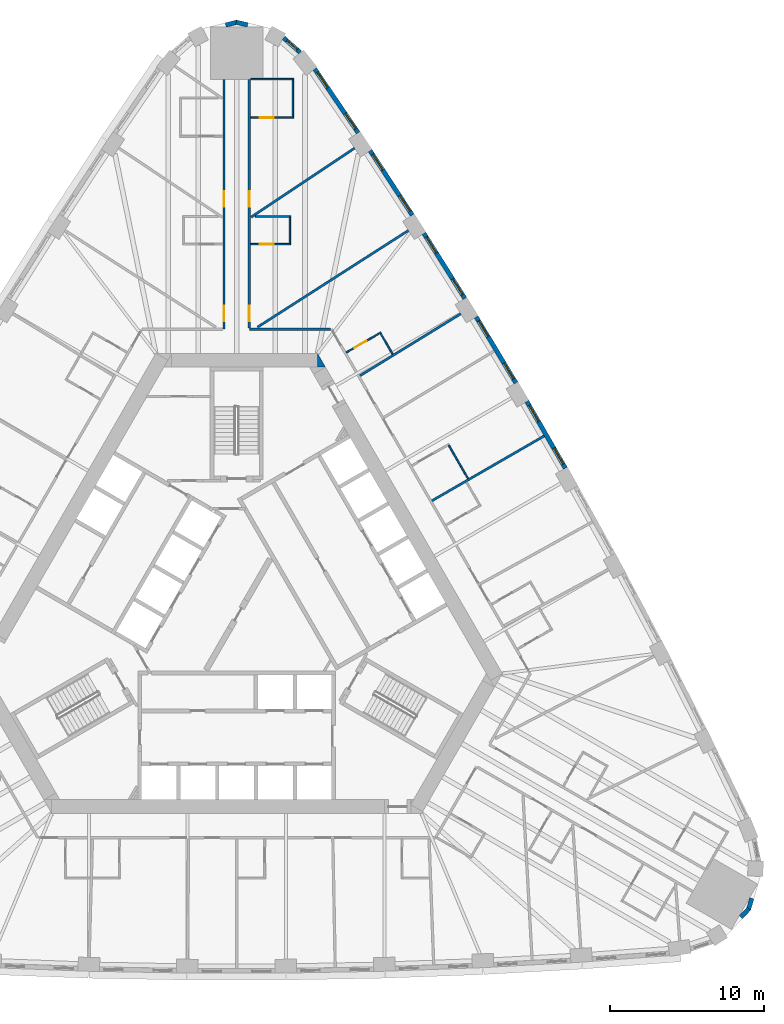
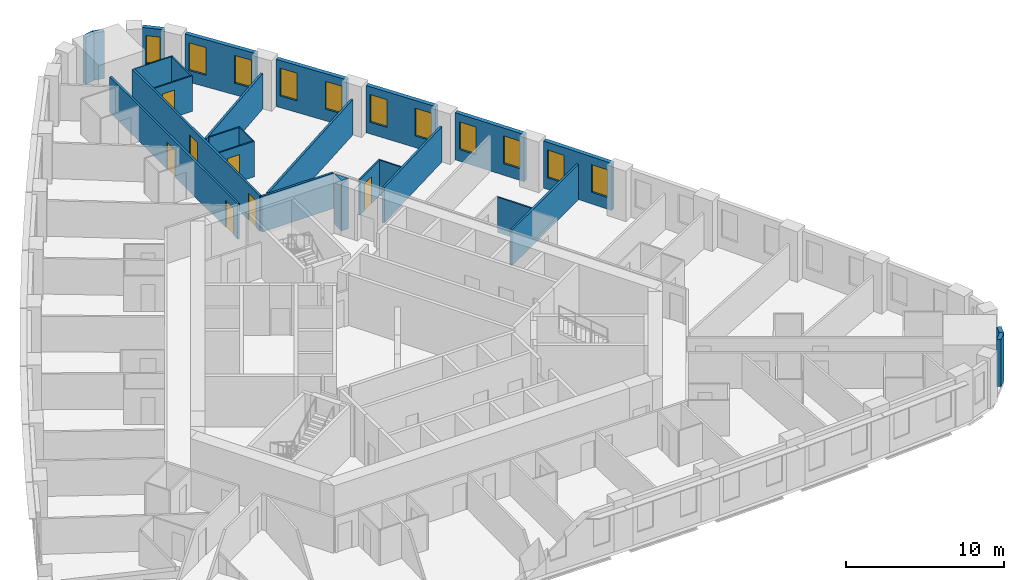
# One storey, part 11 of 13: 27 walls, 11 windows, 7 doors, 18 openings.
"""IFC4 building model written with IfcOpenShell, lengths in metres."""

from ifc_helpers import new_model, si_unit, direction, frame, frame_2d, origin, place, context, subcontext, project, spatial, polyline, rectangle, outline, extrude, material, layer, layer_set, type_object, element, fill, save


model = new_model("IFC4")

# Units and contexts
model_context = context("Model", 3, precision=1e-05, world=origin(), true_north=direction((0.0, 1.0)))
body_context = subcontext(model_context, "Body", "Model", "MODEL_VIEW")
ifc_project = project(units=[si_unit("LENGTHUNIT", "METRE"), si_unit("AREAUNIT", "SQUARE_METRE"), si_unit("VOLUMEUNIT", "CUBIC_METRE"), si_unit("PLANEANGLEUNIT", "RADIAN"), si_unit("MASSUNIT", "GRAM", prefix="KILO")], contexts=[model_context])

# Site, building, storey
site_placement = place(None, origin())
site = spatial("IfcSite", under=ifc_project, at=site_placement, CompositionType="ELEMENT")
building_placement = place(site_placement, origin())
building = spatial("IfcBuilding", under=site, at=building_placement, Name="Mestral Congress Tower", CompositionType="ELEMENT")
storey_placement = place(building_placement, frame((0.0, 0.0, 35.39990234375)))
storey = spatial("IfcBuildingStorey", under=building, at=storey_placement, Name="L07", CompositionType="ELEMENT", Elevation=35.39990234375)

# Walls
ifc_material_1 = material(Name="Concrete C60/75", Category="concrete")
ifc_layer_1 = layer(ifc_material_1, 0.89990234375)
ifc_layer_set_1 = layer_set([ifc_layer_1], Name="Concrete C60/75")
wall_type_1 = type_object("IfcWallType", Name="Core wall RC 900", PredefinedType="SOLIDWALL", material=ifc_layer_set_1)
wall_1_placement = place(storey_placement, origin())
element("IfcWall", 1, at=wall_1_placement, inside=storey, type_object=wall_type_1, Name="L07 core wall", PredefinedType="SOLIDWALL", context=body_context, shape_type="SweptSolid", body=[
    extrude(outline(polyline([(5.265380859375, 16.0), (5.265380859375, 16.8798828125), (5.7734375, 16.0), (5.265380859375, 16.0)])), origin(), (0.0, 0.0, 1.0), 3.900146484375),
])
ifc_material_2 = material(Name="Precast concrete C40/50 with limestone facing", Category="masonry")
ifc_layer_2 = layer(ifc_material_2, 0.2900390625)
ifc_layer_set_2 = layer_set([ifc_layer_2], Name="Precast concrete C40/50 with limestone facing")
wall_type_2 = type_object("IfcWallType", Name="Facade stone wall 290", PredefinedType="SOLIDWALL", material=ifc_layer_set_2)
for number, where, z_axis, x_axis, name in (
    (2, (32.762451171875, -19.732177734375, 0.0), (0.0, 0.0, 1.0), (0.692252359589, 0.721655506903, 0.0), "Facade wall K0-1"),
    (3, (33.256591796875, -19.24072265625, 0.0), (0.0, 0.0, 1.0), (0.278981320915, 0.960296528464, 0.0), "Facade wall K0-2"),
):
    element("IfcWall", number, at=place(storey_placement, frame(where, z_axis=z_axis, x_axis=x_axis)), inside=storey, type_object=wall_type_2, Name=name, PredefinedType="SOLIDWALL", context=body_context, shape_type="SweptSolid", body=[
        extrude(rectangle(XDim=0.763916015625, YDim=0.2900390625, at=frame_2d((0.3818359375, 0.0))), origin(), (0.0, 0.0, 1.0), 3.650146484375),
    ])

# Wall, openings, windows
wall_2_placement = place(storey_placement, frame((21.357177734375, 9.44482421875, 0.0), z_axis=(0.0, 0.0, 1.0), x_axis=(-0.50002123722, 0.866013142123, 0.0)))
wall_2 = element("IfcWall", 4, at=wall_2_placement, inside=storey, type_object=wall_type_2, Name="Facade wall F1-04", PredefinedType="SOLIDWALL", context=body_context, shape_type="SweptSolid", body=[
    extrude(rectangle(XDim=4.998291015625, YDim=0.2900390625, at=frame_2d((2.4990234375, 0.0))), origin(), (0.0, 0.0, 1.0), 3.650146484375),
])
opening_1_placement = place(wall_2_placement, frame((0.297119140625, 0.0, 0.89990234375)))
opening_1 = element("IfcOpeningElement", 5, at=opening_1_placement, cuts=wall_2, Name="Opening W1", PredefinedType="OPENING", context=body_context, shape_type="SweptSolid", body=[
    extrude(rectangle(XDim=1.199951171875, YDim=2.14990234375, at=frame_2d((0.60009765625, 1.074951171875))), frame((0.0, 0.155029296875, 0.0), z_axis=(0.0, -1.0, 0.0), x_axis=(1.0, 0.0, 0.0)), (0.0, 0.0, 1.0), 0.31005859375),
])
opening_2_placement = place(wall_2_placement, frame((3.501220703125, 0.0, 0.89990234375)))
opening_2 = element("IfcOpeningElement", 6, at=opening_2_placement, cuts=wall_2, Name="Opening W1", PredefinedType="OPENING", context=body_context, shape_type="SweptSolid", body=[
    extrude(rectangle(XDim=1.199951171875, YDim=2.14990234375, at=frame_2d((0.60009765625, 1.074951171875))), frame((0.0, 0.155029296875, 0.0), z_axis=(0.0, -1.0, 0.0), x_axis=(1.0, 0.0, 0.0)), (0.0, 0.0, 1.0), 0.31005859375),
])
ifc_material_3 = material(Name="Clear low-emissivity double glazing", Category="glass")
window_type_1 = type_object("IfcWindowType", Name="Facade punched window 1200 x 2150 sill 900", PartitioningType="DOUBLE_PANEL_VERTICAL", PredefinedType="WINDOW", material=ifc_material_3)
window_1_placement = place(opening_1_placement, origin())
window_1 = element("IfcWindow", 7, at=window_1_placement, inside=storey, type_object=window_type_1, Name="Window F1-04a", OverallHeight=2.14990234375, OverallWidth=1.199951171875, PartitioningType="DOUBLE_PANEL_VERTICAL", PredefinedType="WINDOW", context=body_context, shape_type="SweptSolid", body=[
    extrude(rectangle(XDim=1.199951171875, YDim=2.14990234375, at=frame_2d((0.60009765625, 1.074951171875))), frame((0.0, 0.01513671875, 0.0), z_axis=(0.0, -1.0, 0.0), x_axis=(1.0, 0.0, 0.0)), (0.0, 0.0, 1.0), 0.06005859375),
])
fill(opening_1, window_1)
window_2_placement = place(opening_2_placement, origin())
window_2 = element("IfcWindow", 8, at=window_2_placement, inside=storey, type_object=window_type_1, Name="Window F1-04b", OverallHeight=2.14990234375, OverallWidth=1.199951171875, PartitioningType="DOUBLE_PANEL_VERTICAL", PredefinedType="WINDOW", context=body_context, shape_type="SweptSolid", body=[
    extrude(rectangle(XDim=1.199951171875, YDim=2.14990234375, at=frame_2d((0.60009765625, 1.074951171875))), frame((0.0, 0.01513671875, 0.0), z_axis=(0.0, -1.0, 0.0), x_axis=(1.0, 0.0, 0.0)), (0.0, 0.0, 1.0), 0.06005859375),
])
fill(opening_2, window_2)

wall_3_placement = place(storey_placement, frame((18.143310546875, 14.985595703125, 0.0), z_axis=(0.0, 0.0, 1.0), x_axis=(-0.515938796285, 0.856625448191, 0.0)))
wall_3 = element("IfcWall", 9, at=wall_3_placement, inside=storey, type_object=wall_type_2, Name="Facade wall F1-05", PredefinedType="SOLIDWALL", context=body_context, shape_type="SweptSolid", body=[
    extrude(rectangle(XDim=4.998291015625, YDim=0.2900390625, at=frame_2d((2.4990234375, 0.0))), origin(), (0.0, 0.0, 1.0), 3.650146484375),
])
opening_3_placement = place(wall_3_placement, frame((0.297119140625, 0.0, 0.89990234375)))
opening_3 = element("IfcOpeningElement", 10, at=opening_3_placement, cuts=wall_3, Name="Opening W1", PredefinedType="OPENING", context=body_context, shape_type="SweptSolid", body=[
    extrude(rectangle(XDim=1.199951171875, YDim=2.14990234375, at=frame_2d((0.60009765625, 1.074951171875))), frame((0.0, 0.155029296875, 0.0), z_axis=(0.0, -1.0, 0.0), x_axis=(1.0, 0.0, 0.0)), (0.0, 0.0, 1.0), 0.31005859375),
])
opening_4_placement = place(wall_3_placement, frame((3.501220703125, 0.0, 0.89990234375)))
opening_4 = element("IfcOpeningElement", 11, at=opening_4_placement, cuts=wall_3, Name="Opening W1", PredefinedType="OPENING", context=body_context, shape_type="SweptSolid", body=[
    extrude(rectangle(XDim=1.199951171875, YDim=2.14990234375, at=frame_2d((0.60009765625, 1.074951171875))), frame((0.0, 0.155029296875, 0.0), z_axis=(0.0, -1.0, 0.0), x_axis=(1.0, 0.0, 0.0)), (0.0, 0.0, 1.0), 0.31005859375),
])
window_3_placement = place(opening_3_placement, origin())
window_3 = element("IfcWindow", 12, at=window_3_placement, inside=storey, type_object=window_type_1, Name="Window F1-05a", OverallHeight=2.14990234375, OverallWidth=1.199951171875, PartitioningType="DOUBLE_PANEL_VERTICAL", PredefinedType="WINDOW", context=body_context, shape_type="SweptSolid", body=[
    extrude(rectangle(XDim=1.199951171875, YDim=2.14990234375, at=frame_2d((0.60009765625, 1.074951171875))), frame((0.0, 0.01513671875, 0.0), z_axis=(0.0, -1.0, 0.0), x_axis=(1.0, 0.0, 0.0)), (0.0, 0.0, 1.0), 0.06005859375),
])
fill(opening_3, window_3)
window_4_placement = place(opening_4_placement, origin())
window_4 = element("IfcWindow", 13, at=window_4_placement, inside=storey, type_object=window_type_1, Name="Window F1-05b", OverallHeight=2.14990234375, OverallWidth=1.199951171875, PartitioningType="DOUBLE_PANEL_VERTICAL", PredefinedType="WINDOW", context=body_context, shape_type="SweptSolid", body=[
    extrude(rectangle(XDim=1.199951171875, YDim=2.14990234375, at=frame_2d((0.60009765625, 1.074951171875))), frame((0.0, 0.01513671875, 0.0), z_axis=(0.0, -1.0, 0.0), x_axis=(1.0, 0.0, 0.0)), (0.0, 0.0, 1.0), 0.06005859375),
])
fill(opening_4, window_4)

wall_4_placement = place(storey_placement, frame((14.827392578125, 20.466064453125, 0.0), z_axis=(0.0, 0.0, 1.0), x_axis=(-0.531688286542, 0.846940119462, 0.0)))
wall_4 = element("IfcWall", 14, at=wall_4_placement, inside=storey, type_object=wall_type_2, Name="Facade wall F1-06", PredefinedType="SOLIDWALL", context=body_context, shape_type="SweptSolid", body=[
    extrude(rectangle(XDim=4.998291015625, YDim=0.2900390625, at=frame_2d((2.4990234375, 0.0))), origin(), (0.0, 0.0, 1.0), 3.650146484375),
])
opening_5_placement = place(wall_4_placement, frame((0.297119140625, 0.0, 0.89990234375)))
opening_5 = element("IfcOpeningElement", 15, at=opening_5_placement, cuts=wall_4, Name="Opening W1", PredefinedType="OPENING", context=body_context, shape_type="SweptSolid", body=[
    extrude(rectangle(XDim=1.199951171875, YDim=2.14990234375, at=frame_2d((0.60009765625, 1.074951171875))), frame((0.0, 0.155029296875, 0.0), z_axis=(0.0, -1.0, 0.0), x_axis=(1.0, 0.0, 0.0)), (0.0, 0.0, 1.0), 0.31005859375),
])
opening_6_placement = place(wall_4_placement, frame((3.501220703125, 0.0, 0.89990234375)))
opening_6 = element("IfcOpeningElement", 16, at=opening_6_placement, cuts=wall_4, Name="Opening W1", PredefinedType="OPENING", context=body_context, shape_type="SweptSolid", body=[
    extrude(rectangle(XDim=1.199951171875, YDim=2.14990234375, at=frame_2d((0.60009765625, 1.074951171875))), frame((0.0, 0.155029296875, 0.0), z_axis=(0.0, -1.0, 0.0), x_axis=(1.0, 0.0, 0.0)), (0.0, 0.0, 1.0), 0.31005859375),
])
window_5_placement = place(opening_5_placement, origin())
window_5 = element("IfcWindow", 17, at=window_5_placement, inside=storey, type_object=window_type_1, Name="Window F1-06a", OverallHeight=2.14990234375, OverallWidth=1.199951171875, PartitioningType="DOUBLE_PANEL_VERTICAL", PredefinedType="WINDOW", context=body_context, shape_type="SweptSolid", body=[
    extrude(rectangle(XDim=1.199951171875, YDim=2.14990234375, at=frame_2d((0.60009765625, 1.074951171875))), frame((0.0, 0.01513671875, 0.0), z_axis=(0.0, -1.0, 0.0), x_axis=(1.0, 0.0, 0.0)), (0.0, 0.0, 1.0), 0.06005859375),
])
fill(opening_5, window_5)
window_6_placement = place(opening_6_placement, origin())
window_6 = element("IfcWindow", 18, at=window_6_placement, inside=storey, type_object=window_type_1, Name="Window F1-06b", OverallHeight=2.14990234375, OverallWidth=1.199951171875, PartitioningType="DOUBLE_PANEL_VERTICAL", PredefinedType="WINDOW", context=body_context, shape_type="SweptSolid", body=[
    extrude(rectangle(XDim=1.199951171875, YDim=2.14990234375, at=frame_2d((0.60009765625, 1.074951171875))), frame((0.0, 0.01513671875, 0.0), z_axis=(0.0, -1.0, 0.0), x_axis=(1.0, 0.0, 0.0)), (0.0, 0.0, 1.0), 0.06005859375),
])
fill(opening_6, window_6)

wall_5_placement = place(storey_placement, frame((11.41064453125, 25.884033203125, 0.0), z_axis=(0.0, 0.0, 1.0), x_axis=(-0.547204617628, 0.836998868845, 0.0)))
wall_5 = element("IfcWall", 19, at=wall_5_placement, inside=storey, type_object=wall_type_2, Name="Facade wall F1-07", PredefinedType="SOLIDWALL", context=body_context, shape_type="SweptSolid", body=[
    extrude(rectangle(XDim=4.998291015625, YDim=0.2900390625, at=frame_2d((2.4990234375, 0.0))), origin(), (0.0, 0.0, 1.0), 3.650146484375),
])
opening_7_placement = place(wall_5_placement, frame((0.297119140625, 0.0, 0.89990234375)))
opening_7 = element("IfcOpeningElement", 20, at=opening_7_placement, cuts=wall_5, Name="Opening W1", PredefinedType="OPENING", context=body_context, shape_type="SweptSolid", body=[
    extrude(rectangle(XDim=1.199951171875, YDim=2.14990234375, at=frame_2d((0.60009765625, 1.074951171875))), frame((0.0, 0.155029296875, 0.0), z_axis=(0.0, -1.0, 0.0), x_axis=(1.0, 0.0, 0.0)), (0.0, 0.0, 1.0), 0.31005859375),
])
opening_8_placement = place(wall_5_placement, frame((3.501220703125, 0.0, 0.89990234375)))
opening_8 = element("IfcOpeningElement", 21, at=opening_8_placement, cuts=wall_5, Name="Opening W1", PredefinedType="OPENING", context=body_context, shape_type="SweptSolid", body=[
    extrude(rectangle(XDim=1.199951171875, YDim=2.14990234375, at=frame_2d((0.60009765625, 1.074951171875))), frame((0.0, 0.155029296875, 0.0), z_axis=(0.0, -1.0, 0.0), x_axis=(1.0, 0.0, 0.0)), (0.0, 0.0, 1.0), 0.31005859375),
])
window_7_placement = place(opening_7_placement, origin())
window_7 = element("IfcWindow", 22, at=window_7_placement, inside=storey, type_object=window_type_1, Name="Window F1-07a", OverallHeight=2.14990234375, OverallWidth=1.199951171875, PartitioningType="DOUBLE_PANEL_VERTICAL", PredefinedType="WINDOW", context=body_context, shape_type="SweptSolid", body=[
    extrude(rectangle(XDim=1.199951171875, YDim=2.14990234375, at=frame_2d((0.60009765625, 1.074951171875))), frame((0.0, 0.01513671875, 0.0), z_axis=(0.0, -1.0, 0.0), x_axis=(1.0, 0.0, 0.0)), (0.0, 0.0, 1.0), 0.06005859375),
])
fill(opening_7, window_7)
window_8_placement = place(opening_8_placement, origin())
window_8 = element("IfcWindow", 23, at=window_8_placement, inside=storey, type_object=window_type_1, Name="Window F1-07b", OverallHeight=2.14990234375, OverallWidth=1.199951171875, PartitioningType="DOUBLE_PANEL_VERTICAL", PredefinedType="WINDOW", context=body_context, shape_type="SweptSolid", body=[
    extrude(rectangle(XDim=1.199951171875, YDim=2.14990234375, at=frame_2d((0.60009765625, 1.074951171875))), frame((0.0, 0.01513671875, 0.0), z_axis=(0.0, -1.0, 0.0), x_axis=(1.0, 0.0, 0.0)), (0.0, 0.0, 1.0), 0.06005859375),
])
fill(opening_8, window_8)

wall_6_placement = place(storey_placement, frame((7.89453125, 31.23828125, 0.0), z_axis=(0.0, 0.0, 1.0), x_axis=(-0.562610153679, 0.826722332454, 0.0)))
wall_6 = element("IfcWall", 24, at=wall_6_placement, inside=storey, type_object=wall_type_2, Name="Facade wall F1-08", PredefinedType="SOLIDWALL", context=body_context, shape_type="SweptSolid", body=[
    extrude(rectangle(XDim=5.005615234375, YDim=0.2900390625, at=frame_2d((2.5029296875, 0.0))), origin(), (0.0, 0.0, 1.0), 3.650146484375),
])
opening_9_placement = place(wall_6_placement, frame((0.310302734375, 0.0, 0.89990234375)))
opening_9 = element("IfcOpeningElement", 25, at=opening_9_placement, cuts=wall_6, Name="Opening W1", PredefinedType="OPENING", context=body_context, shape_type="SweptSolid", body=[
    extrude(rectangle(XDim=1.199951171875, YDim=2.14990234375, at=frame_2d((0.60009765625, 1.074951171875))), frame((0.0, 0.155029296875, 0.0), z_axis=(0.0, -1.0, 0.0), x_axis=(1.0, 0.0, 0.0)), (0.0, 0.0, 1.0), 0.31005859375),
])
opening_10_placement = place(wall_6_placement, frame((3.54052734375, 0.0, 0.89990234375)))
opening_10 = element("IfcOpeningElement", 26, at=opening_10_placement, cuts=wall_6, Name="Opening W1", PredefinedType="OPENING", context=body_context, shape_type="SweptSolid", body=[
    extrude(rectangle(XDim=1.199951171875, YDim=2.14990234375, at=frame_2d((0.60009765625, 1.074951171875))), frame((0.0, 0.155029296875, 0.0), z_axis=(0.0, -1.0, 0.0), x_axis=(1.0, 0.0, 0.0)), (0.0, 0.0, 1.0), 0.31005859375),
])
window_9_placement = place(opening_9_placement, origin())
window_9 = element("IfcWindow", 27, at=window_9_placement, inside=storey, type_object=window_type_1, Name="Window F1-08a", OverallHeight=2.14990234375, OverallWidth=1.199951171875, PartitioningType="DOUBLE_PANEL_VERTICAL", PredefinedType="WINDOW", context=body_context, shape_type="SweptSolid", body=[
    extrude(rectangle(XDim=1.199951171875, YDim=2.14990234375, at=frame_2d((0.60009765625, 1.074951171875))), frame((0.0, 0.01513671875, 0.0), z_axis=(0.0, -1.0, 0.0), x_axis=(1.0, 0.0, 0.0)), (0.0, 0.0, 1.0), 0.06005859375),
])
fill(opening_9, window_9)
window_10_placement = place(opening_10_placement, origin())
window_10 = element("IfcWindow", 28, at=window_10_placement, inside=storey, type_object=window_type_1, Name="Window F1-08b", OverallHeight=2.14990234375, OverallWidth=1.199951171875, PartitioningType="DOUBLE_PANEL_VERTICAL", PredefinedType="WINDOW", context=body_context, shape_type="SweptSolid", body=[
    extrude(rectangle(XDim=1.199951171875, YDim=2.14990234375, at=frame_2d((0.60009765625, 1.074951171875))), frame((0.0, 0.01513671875, 0.0), z_axis=(0.0, -1.0, 0.0), x_axis=(1.0, 0.0, 0.0)), (0.0, 0.0, 1.0), 0.06005859375),
])
fill(opening_10, window_10)

# Wall, opening, window
wall_7_placement = place(storey_placement, frame((4.12548828125, 36.458984375, 0.0), z_axis=(0.0, 0.0, 1.0), x_axis=(-0.749812680302, 0.661650167731, 0.0)))
wall_7 = element("IfcWall", 29, at=wall_7_placement, inside=storey, type_object=wall_type_2, Name="Facade wall K1-0", PredefinedType="SOLIDWALL", context=body_context, shape_type="SweptSolid", body=[
    extrude(rectangle(XDim=1.4150390625, YDim=0.2900390625, at=frame_2d((0.70751953125, 0.0))), origin(), (0.0, 0.0, 1.0), 3.650146484375),
])
opening_11_placement = place(wall_7_placement, frame((0.257568359375, 0.0, 0.89990234375)))
opening_11 = element("IfcOpeningElement", 30, at=opening_11_placement, cuts=wall_7, Name="Opening W3", PredefinedType="OPENING", context=body_context, shape_type="SweptSolid", body=[
    extrude(rectangle(XDim=0.89990234375, YDim=2.14990234375, at=frame_2d((0.449951171875, 1.074951171875))), frame((0.0, 0.155029296875, 0.0), z_axis=(0.0, -1.0, 0.0), x_axis=(1.0, 0.0, 0.0)), (0.0, 0.0, 1.0), 0.31005859375),
])
window_type_2 = type_object("IfcWindowType", Name="Facade punched window 900 x 2150 sill 900", PartitioningType="SINGLE_PANEL", PredefinedType="WINDOW", material=ifc_material_3)
window_11_placement = place(opening_11_placement, origin())
window_11 = element("IfcWindow", 31, at=window_11_placement, inside=storey, type_object=window_type_2, Name="Window K1-0", OverallHeight=2.14990234375, OverallWidth=0.89990234375, PartitioningType="SINGLE_PANEL", PredefinedType="WINDOW", context=body_context, shape_type="SweptSolid", body=[
    extrude(rectangle(XDim=0.89990234375, YDim=2.14990234375, at=frame_2d((0.449951171875, 1.074951171875))), frame((0.0, 0.01513671875, 0.0), z_axis=(0.0, -1.0, 0.0), x_axis=(1.0, 0.0, 0.0)), (0.0, 0.0, 1.0), 0.06005859375),
])
fill(opening_11, window_11)

# Walls
for number, where, z_axis, x_axis, name in (
    (32, (0.707275390625, 38.2392578125, 0.0), (0.0, 0.0, 1.0), (-0.971167582305, 0.238397833629, 0.0), "Facade wall K1-1"),
    (33, (0.03466796875, 38.42138671875, 0.0), (0.0, 0.0, 1.0), (-0.971167582305, -0.238397833629, 0.0), "Facade wall K1-2"),
):
    element("IfcWall", number, at=place(storey_placement, frame(where, z_axis=z_axis, x_axis=x_axis)), inside=storey, type_object=wall_type_2, Name=name, PredefinedType="SOLIDWALL", context=body_context, shape_type="SweptSolid", body=[
        extrude(rectangle(XDim=0.763916015625, YDim=0.2900390625, at=frame_2d((0.3818359375, 0.0))), origin(), (0.0, 0.0, 1.0), 3.650146484375),
    ])
ifc_material_4 = material(Name="Gypsum board partition on metal studs with mineral wool", Category="composite")
ifc_layer_3 = layer(ifc_material_4, 0.10009765625)
ifc_layer_set_3 = layer_set([ifc_layer_3], Name="Gypsum board partition on metal studs with mineral wool")
wall_type_3 = type_object("IfcWallType", Name="Hotel partition wall 100", PredefinedType="PARTITIONING", material=ifc_layer_set_3)
wall_8_placement = place(storey_placement, frame((13.781005859375, 10.9306640625, 0.0), z_axis=(0.0, 0.0, 1.0), x_axis=(0.500004234368, -0.866022959057, 0.0)))
element("IfcWall", 34, at=wall_8_placement, inside=storey, type_object=wall_type_3, Name="L07-h-pod16b", PredefinedType="PARTITIONING", context=body_context, shape_type="SweptSolid", body=[
    extrude(rectangle(XDim=2.5, YDim=0.10009765625, at=frame_2d((1.25, 0.0))), origin(), (0.0, 0.0, 1.0), 2.75),
])

# Wall, opening, door
wall_9_placement = place(storey_placement, frame((9.37548828125, 18.26123046875, 0.0), z_axis=(0.0, 0.0, 1.0), x_axis=(-0.866021400173, -0.500006934395, 0.0)))
wall_9 = element("IfcWall", 35, at=wall_9_placement, inside=storey, type_object=wall_type_3, Name="L07-h-pod18a", PredefinedType="PARTITIONING", context=body_context, shape_type="SweptSolid", body=[
    extrude(rectangle(XDim=2.60009765625, YDim=0.10009765625, at=frame_2d((1.300048828125, 0.0))), origin(), (0.0, 0.0, 1.0), 2.75),
])
opening_12_placement = place(wall_9_placement, frame((1.10009765625, 0.0, 0.0)))
opening_12 = element("IfcOpeningElement", 36, at=opening_12_placement, cuts=wall_9, Name="Opening H01-034", PredefinedType="OPENING", context=body_context, shape_type="SweptSolid", body=[
    extrude(rectangle(XDim=0.89990234375, YDim=2.10009765625, at=frame_2d((0.449951171875, 1.050048828125))), frame((0.0, 0.06005859375, 0.0), z_axis=(0.0, -1.0, 0.0), x_axis=(1.0, 0.0, 0.0)), (0.0, 0.0, 1.0), 0.1201171875),
])
ifc_material_5 = material(Name="Timber veneer door leaf in timber frame", Category="wood")
door_type_1 = type_object("IfcDoorType", Name="Bathroom door 900", OperationType="SINGLE_SWING_LEFT", PredefinedType="DOOR", material=ifc_material_5)
door_1_placement = place(opening_12_placement, origin())
door_1 = element("IfcDoor", 37, at=door_1_placement, inside=storey, type_object=door_type_1, Name="L07-h-d034", OperationType="SINGLE_SWING_RIGHT", OverallHeight=2.10009765625, OverallWidth=0.89990234375, PredefinedType="DOOR", context=body_context, shape_type="SweptSolid", body=[
    extrude(rectangle(XDim=0.89990234375, YDim=2.10009765625, at=frame_2d((0.449951171875, 1.050048828125))), frame((0.0, 0.02490234375, 0.0), z_axis=(0.0, -1.0, 0.0), x_axis=(1.0, 0.0, 0.0)), (0.0, 0.0, 1.0), 0.050048828125),
])
fill(opening_12, door_1)

# Wall
wall_10_placement = place(storey_placement, frame((9.357177734375, 18.193115234375, 0.0), z_axis=(0.0, 0.0, 1.0), x_axis=(0.499899694197, -0.866083307622, 0.0)))
element("IfcWall", 38, at=wall_10_placement, inside=storey, type_object=wall_type_3, Name="L07-h-pod18b", PredefinedType="PARTITIONING", context=body_context, shape_type="SweptSolid", body=[
    extrude(rectangle(XDim=1.550048828125, YDim=0.10009765625, at=frame_2d((0.77490234375, 0.0))), origin(), (0.0, 0.0, 1.0), 2.75),
])

# Wall, opening, door
wall_11_placement = place(storey_placement, frame((0.89990234375, 23.994384765625, 0.0), z_axis=(0.0, 0.0, 1.0), x_axis=(1.0, 0.0, 0.0)))
wall_11 = element("IfcWall", 39, at=wall_11_placement, inside=storey, type_object=wall_type_3, Name="L07-h-pod19a", PredefinedType="PARTITIONING", context=body_context, shape_type="SweptSolid", body=[
    extrude(rectangle(XDim=2.60009765625, YDim=0.10009765625, at=frame_2d((1.300048828125, 0.0))), origin(), (0.0, 0.0, 1.0), 2.75),
])
opening_13_placement = place(wall_11_placement, frame((0.60009765625, 0.0, 0.0)))
opening_13 = element("IfcOpeningElement", 40, at=opening_13_placement, cuts=wall_11, Name="Opening H01-036", PredefinedType="OPENING", context=body_context, shape_type="SweptSolid", body=[
    extrude(rectangle(XDim=0.89990234375, YDim=2.10009765625, at=frame_2d((0.449951171875, 1.050048828125))), frame((0.0, 0.06005859375, 0.0), z_axis=(0.0, -1.0, 0.0), x_axis=(1.0, 0.0, 0.0)), (0.0, 0.0, 1.0), 0.1201171875),
])
door_2_placement = place(opening_13_placement, origin())
door_2 = element("IfcDoor", 41, at=door_2_placement, inside=storey, type_object=door_type_1, Name="L07-h-d036", OperationType="SINGLE_SWING_LEFT", OverallHeight=2.10009765625, OverallWidth=0.89990234375, PredefinedType="DOOR", context=body_context, shape_type="SweptSolid", body=[
    extrude(rectangle(XDim=0.89990234375, YDim=2.10009765625, at=frame_2d((0.449951171875, 1.050048828125))), frame((0.0, 0.02490234375, 0.0), z_axis=(0.0, -1.0, 0.0), x_axis=(1.0, 0.0, 0.0)), (0.0, 0.0, 1.0), 0.050048828125),
])
fill(opening_13, door_2)

# Walls
wall_12_placement = place(storey_placement, frame((3.449951171875, 24.04443359375, 0.0), z_axis=(0.0, 0.0, 1.0), x_axis=(0.0, 1.0, 0.0)))
element("IfcWall", 42, at=wall_12_placement, inside=storey, type_object=wall_type_3, Name="L07-h-pod19b", PredefinedType="PARTITIONING", context=body_context, shape_type="SweptSolid", body=[
    extrude(rectangle(XDim=1.699951171875, YDim=0.10009765625, at=frame_2d((0.85009765625, 0.0))), origin(), (0.0, 0.0, 1.0), 2.75),
])
wall_13_placement = place(storey_placement, frame((1.2099609375, 25.79443359375, 0.0), z_axis=(0.0, 0.0, 1.0), x_axis=(1.0, 0.0, 0.0)))
element("IfcWall", 43, at=wall_13_placement, inside=storey, type_object=wall_type_3, Name="L07-h-pod19c", PredefinedType="PARTITIONING", context=body_context, shape_type="SweptSolid", body=[
    extrude(rectangle(XDim=2.2900390625, YDim=0.10009765625, at=frame_2d((1.14501953125, 0.0))), origin(), (0.0, 0.0, 1.0), 2.75),
])

# Wall, opening, door
wall_14_placement = place(storey_placement, frame((0.89990234375, 32.218994140625, 0.0), z_axis=(0.0, 0.0, 1.0), x_axis=(1.0, 0.0, 0.0)))
wall_14 = element("IfcWall", 44, at=wall_14_placement, inside=storey, type_object=wall_type_3, Name="L07-h-pod20a", PredefinedType="PARTITIONING", context=body_context, shape_type="SweptSolid", body=[
    extrude(rectangle(XDim=2.800048828125, YDim=0.10009765625, at=frame_2d((1.39990234375, 0.0))), origin(), (0.0, 0.0, 1.0), 2.75),
])
opening_14_placement = place(wall_14_placement, frame((0.60009765625, 0.0, 0.0)))
opening_14 = element("IfcOpeningElement", 45, at=opening_14_placement, cuts=wall_14, Name="Opening H01-038", PredefinedType="OPENING", context=body_context, shape_type="SweptSolid", body=[
    extrude(rectangle(XDim=0.89990234375, YDim=2.10009765625, at=frame_2d((0.449951171875, 1.050048828125))), frame((0.0, 0.06005859375, 0.0), z_axis=(0.0, -1.0, 0.0), x_axis=(1.0, 0.0, 0.0)), (0.0, 0.0, 1.0), 0.1201171875),
])
door_3_placement = place(opening_14_placement, origin())
door_3 = element("IfcDoor", 46, at=door_3_placement, inside=storey, type_object=door_type_1, Name="L07-h-d038", OperationType="SINGLE_SWING_LEFT", OverallHeight=2.10009765625, OverallWidth=0.89990234375, PredefinedType="DOOR", context=body_context, shape_type="SweptSolid", body=[
    extrude(rectangle(XDim=0.89990234375, YDim=2.10009765625, at=frame_2d((0.449951171875, 1.050048828125))), frame((0.0, 0.02490234375, 0.0), z_axis=(0.0, -1.0, 0.0), x_axis=(1.0, 0.0, 0.0)), (0.0, 0.0, 1.0), 0.050048828125),
])
fill(opening_14, door_3)

# Walls
wall_15_placement = place(storey_placement, frame((3.64990234375, 32.268798828125, 0.0), z_axis=(0.0, 0.0, 1.0), x_axis=(0.0, 1.0, 0.0)))
element("IfcWall", 47, at=wall_15_placement, inside=storey, type_object=wall_type_3, Name="L07-h-pod20b", PredefinedType="PARTITIONING", context=body_context, shape_type="SweptSolid", body=[
    extrude(rectangle(XDim=2.400146484375, YDim=0.10009765625, at=frame_2d((1.2001953125, 0.0))), origin(), (0.0, 0.0, 1.0), 2.75),
])
wall_16_placement = place(storey_placement, frame((0.89990234375, 34.718994140625, 0.0), z_axis=(0.0, 0.0, 1.0), x_axis=(1.0, 0.0, 0.0)))
element("IfcWall", 48, at=wall_16_placement, inside=storey, type_object=wall_type_3, Name="L07-h-pod20c", PredefinedType="PARTITIONING", context=body_context, shape_type="SweptSolid", body=[
    extrude(rectangle(XDim=2.800048828125, YDim=0.10009765625, at=frame_2d((1.39990234375, 0.0))), origin(), (0.0, 0.0, 1.0), 2.75),
])
ifc_layer_4 = layer(ifc_material_4, 0.14990234375)
ifc_layer_set_4 = layer_set([ifc_layer_4], Name="Gypsum board partition on metal studs with mineral wool")
wall_type_4 = type_object("IfcWallType", Name="Hotel partition wall 150", PredefinedType="PARTITIONING", material=ifc_layer_set_4)
wall_17_placement = place(storey_placement, frame((0.824951171875, 18.47509765625, 0.0), z_axis=(0.0, 0.0, 1.0), x_axis=(1.0, 0.0, 0.0)))
element("IfcWall", 49, at=wall_17_placement, inside=storey, type_object=wall_type_4, Name="L07-h-cw04", PredefinedType="PARTITIONING", context=body_context, shape_type="SweptSolid", body=[
    extrude(rectangle(XDim=5.268310546875, YDim=0.14990234375, at=frame_2d((2.63427734375, 0.0))), origin(), (0.0, 0.0, 1.0), 2.75),
])

# Wall, openings, doors
wall_18_placement = place(storey_placement, frame((0.824951171875, 34.698974609375, 0.0), z_axis=(0.0, 0.0, 1.0), x_axis=(0.0, -1.0, 0.0)))
wall_18 = element("IfcWall", 50, at=wall_18_placement, inside=storey, type_object=wall_type_4, Name="L07-h-cw05", PredefinedType="PARTITIONING", context=body_context, shape_type="SweptSolid", body=[
    extrude(rectangle(XDim=16.14404296875, YDim=0.14990234375, at=frame_2d((8.072021484375, 0.0))), origin(), (0.0, 0.0, 1.0), 2.75),
])
opening_15_placement = place(wall_18_placement, frame((14.7138671875, 0.0, 0.0)))
opening_15 = element("IfcOpeningElement", 51, at=opening_15_placement, cuts=wall_18, Name="Opening H01-035", PredefinedType="OPENING", context=body_context, shape_type="SweptSolid", body=[
    extrude(rectangle(XDim=1.0, YDim=2.10009765625, at=frame_2d((0.5, 1.050048828125))), frame((0.0, 0.0849609375, 0.0), z_axis=(0.0, -1.0, 0.0), x_axis=(1.0, 0.0, 0.0)), (0.0, 0.0, 1.0), 0.169921875),
])
opening_16_placement = place(wall_18_placement, frame((7.27490234375, 0.0, 0.0)))
opening_16 = element("IfcOpeningElement", 52, at=opening_16_placement, cuts=wall_18, Name="Opening H01-037", PredefinedType="OPENING", context=body_context, shape_type="SweptSolid", body=[
    extrude(rectangle(XDim=1.0, YDim=2.10009765625, at=frame_2d((0.5, 1.050048828125))), frame((0.0, 0.0849609375, 0.0), z_axis=(0.0, -1.0, 0.0), x_axis=(1.0, 0.0, 0.0)), (0.0, 0.0, 1.0), 0.169921875),
])
ifc_material_6 = material(Name="Timber veneer door leaf in metal frame", Category="wood")
door_type_2 = type_object("IfcDoorType", Name="Guest room entrance door 1000", OperationType="SINGLE_SWING_LEFT", PredefinedType="DOOR", material=ifc_material_6)
door_4_placement = place(opening_15_placement, origin())
door_4 = element("IfcDoor", 53, at=door_4_placement, inside=storey, type_object=door_type_2, Name="L07-h-d035", OperationType="SINGLE_SWING_RIGHT", OverallHeight=2.10009765625, OverallWidth=1.0, PredefinedType="DOOR", context=body_context, shape_type="SweptSolid", body=[
    extrude(rectangle(XDim=1.0, YDim=2.10009765625, at=frame_2d((0.5, 1.050048828125))), frame((0.0, 0.02490234375, 0.0), z_axis=(0.0, -1.0, 0.0), x_axis=(1.0, 0.0, 0.0)), (0.0, 0.0, 1.0), 0.050048828125),
])
fill(opening_15, door_4)
door_5_placement = place(opening_16_placement, origin())
door_5 = element("IfcDoor", 54, at=door_5_placement, inside=storey, type_object=door_type_2, Name="L07-h-d037", OperationType="SINGLE_SWING_RIGHT", OverallHeight=2.10009765625, OverallWidth=1.0, PredefinedType="DOOR", context=body_context, shape_type="SweptSolid", body=[
    extrude(rectangle(XDim=1.0, YDim=2.10009765625, at=frame_2d((0.5, 1.050048828125))), frame((0.0, 0.02490234375, 0.0), z_axis=(0.0, -1.0, 0.0), x_axis=(1.0, 0.0, 0.0)), (0.0, 0.0, 1.0), 0.050048828125),
])
fill(opening_16, door_5)

wall_19_placement = place(storey_placement, frame((-0.824951171875, 18.47509765625, 0.0), z_axis=(0.0, 0.0, 1.0), x_axis=(0.0, 1.0, 0.0)))
wall_19 = element("IfcWall", 55, at=wall_19_placement, inside=storey, type_object=wall_type_4, Name="L07-h-cw06", PredefinedType="PARTITIONING", context=body_context, shape_type="SweptSolid", body=[
    extrude(rectangle(XDim=16.223876953125, YDim=0.14990234375, at=frame_2d((8.11181640625, 0.0))), origin(), (0.0, 0.0, 1.0), 2.75),
])
opening_17_placement = place(wall_19_placement, frame((7.948974609375, 0.0, 0.0)))
opening_17 = element("IfcOpeningElement", 56, at=opening_17_placement, cuts=wall_19, Name="Opening H01-039", PredefinedType="OPENING", context=body_context, shape_type="SweptSolid", body=[
    extrude(rectangle(XDim=1.0, YDim=2.10009765625, at=frame_2d((0.5, 1.050048828125))), frame((0.0, 0.0849609375, 0.0), z_axis=(0.0, -1.0, 0.0), x_axis=(1.0, 0.0, 0.0)), (0.0, 0.0, 1.0), 0.169921875),
])
opening_18_placement = place(wall_19_placement, frame((0.52587890625, 0.0, 0.0)))
opening_18 = element("IfcOpeningElement", 57, at=opening_18_placement, cuts=wall_19, Name="Opening H01-041", PredefinedType="OPENING", context=body_context, shape_type="SweptSolid", body=[
    extrude(rectangle(XDim=1.0, YDim=2.10009765625, at=frame_2d((0.5, 1.050048828125))), frame((0.0, 0.0849609375, 0.0), z_axis=(0.0, -1.0, 0.0), x_axis=(1.0, 0.0, 0.0)), (0.0, 0.0, 1.0), 0.169921875),
])
door_6_placement = place(opening_17_placement, origin())
door_6 = element("IfcDoor", 58, at=door_6_placement, inside=storey, type_object=door_type_2, Name="L07-h-d039", OperationType="SINGLE_SWING_LEFT", OverallHeight=2.10009765625, OverallWidth=1.0, PredefinedType="DOOR", context=body_context, shape_type="SweptSolid", body=[
    extrude(rectangle(XDim=1.0, YDim=2.10009765625, at=frame_2d((0.5, 1.050048828125))), frame((0.0, 0.02490234375, 0.0), z_axis=(0.0, -1.0, 0.0), x_axis=(1.0, 0.0, 0.0)), (0.0, 0.0, 1.0), 0.050048828125),
])
fill(opening_17, door_6)
door_7_placement = place(opening_18_placement, origin())
door_7 = element("IfcDoor", 59, at=door_7_placement, inside=storey, type_object=door_type_2, Name="L07-h-d041", OperationType="SINGLE_SWING_LEFT", OverallHeight=2.10009765625, OverallWidth=1.0, PredefinedType="DOOR", context=body_context, shape_type="SweptSolid", body=[
    extrude(rectangle(XDim=1.0, YDim=2.10009765625, at=frame_2d((0.5, 1.050048828125))), frame((0.0, 0.02490234375, 0.0), z_axis=(0.0, -1.0, 0.0), x_axis=(1.0, 0.0, 0.0)), (0.0, 0.0, 1.0), 0.050048828125),
])
fill(opening_18, door_7)

# Walls
wall_20_placement = place(storey_placement, frame((7.662353515625, 30.237548828125, 0.0), z_axis=(0.0, 0.0, 1.0), x_axis=(-0.831882886825, -0.554951225431, 0.0)))
element("IfcWall", 60, at=wall_20_placement, inside=storey, type_object=wall_type_4, Name="L07-h-pw17", PredefinedType="PARTITIONING", context=body_context, shape_type="SweptSolid", body=[
    extrude(rectangle(XDim=8.078857421875, YDim=0.14990234375, at=frame_2d((4.03955078125, 0.0))), origin(), (0.0, 0.0, 1.0), 2.75),
])
wall_21_placement = place(storey_placement, frame((11.16015625, 24.887939453125, 0.0), z_axis=(0.0, 0.0, 1.0), x_axis=(-0.84199813156, -0.539480441211, 0.0)))
element("IfcWall", 61, at=wall_21_placement, inside=storey, type_object=wall_type_4, Name="L07-h-pw18", PredefinedType="PARTITIONING", context=body_context, shape_type="SweptSolid", body=[
    extrude(rectangle(XDim=11.63818359375, YDim=0.14990234375, at=frame_2d((5.819091796875, 0.0))), origin(), (0.0, 0.0, 1.0), 2.75),
])
wall_22_placement = place(storey_placement, frame((14.55810546875, 19.474609375, 0.0), z_axis=(0.0, 0.0, 1.0), x_axis=(-0.851829455142, -0.523819223925, 0.0)))
element("IfcWall", 62, at=wall_22_placement, inside=storey, type_object=wall_type_4, Name="L07-h-pw20", PredefinedType="PARTITIONING", context=body_context, shape_type="SweptSolid", body=[
    extrude(rectangle(XDim=7.68798828125, YDim=0.14990234375, at=frame_2d((3.843994140625, 0.0))), origin(), (0.0, 0.0, 1.0), 2.75),
])
wall_23_placement = place(storey_placement, frame((19.98193359375, 11.53662109375, 0.0), z_axis=(0.0, 0.0, 1.0), x_axis=(-0.866020994654, -0.500007636761, 0.0)))
element("IfcWall", 63, at=wall_23_placement, inside=storey, type_object=wall_type_4, Name="L07-h-pw23", PredefinedType="PARTITIONING", context=body_context, shape_type="SweptSolid", body=[
    extrude(rectangle(XDim=8.423095703125, YDim=0.14990234375, at=frame_2d((4.21142578125, 0.0))), origin(), (0.0, 0.0, 1.0), 2.75),
])

save(model, "model.ifc")
